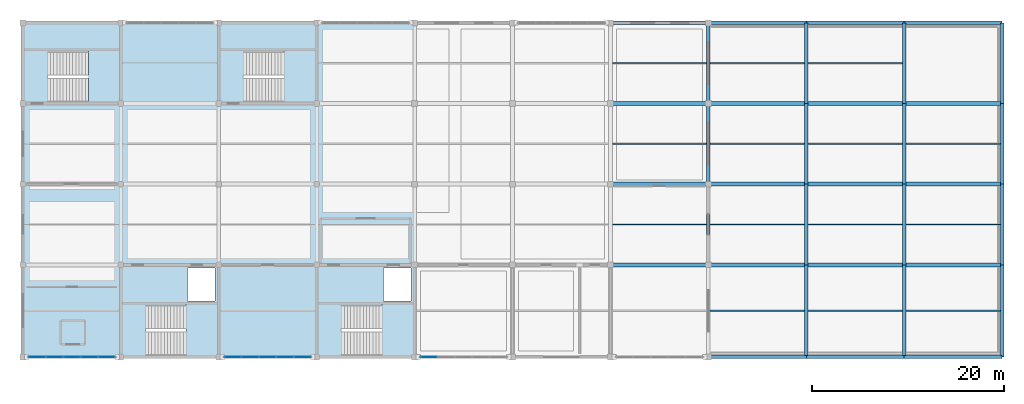
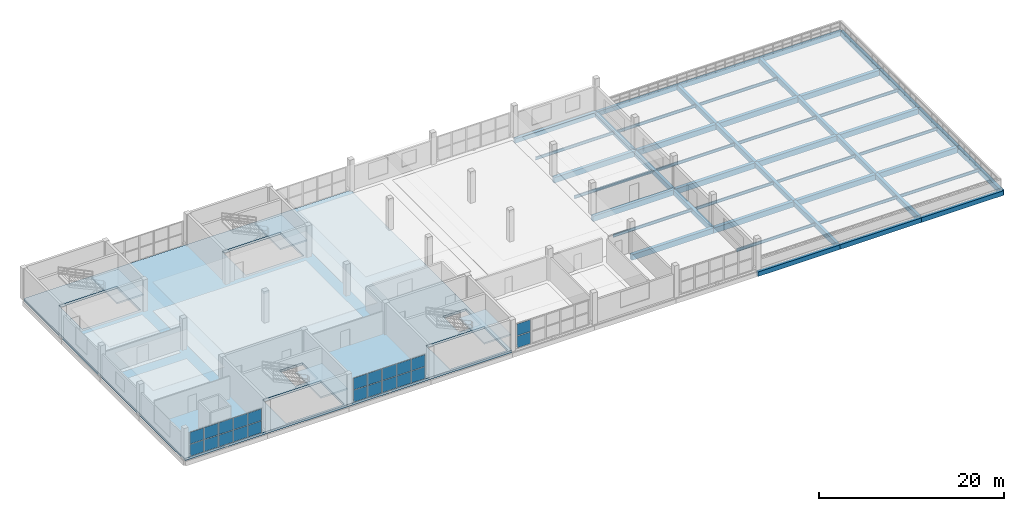
# One storey, part 17 of 24: 48 beams, 22 plates, 5 slabs, 7 elements without a shape of their own.
"""IFC4 building model written with IfcOpenShell, lengths in metres."""

from ifc_helpers import new_model, si_unit, direction, frame, origin, origin_2d, place, context, subcontext, project, spatial, polyline, rectangle, i_section, outline, extrude, material, layer, layer_set, material_profile, profile_set, type_object, element, aggregate, save


model = new_model("IFC4")

# Units and contexts
model_context = context("Model", 3, precision=1e-05, world=origin(), true_north=direction((0.0, 1.0)))
body_context = subcontext(model_context, "Body", "Model", "MODEL_VIEW")
ifc_project = project(units=[si_unit("LENGTHUNIT", "METRE"), si_unit("AREAUNIT", "SQUARE_METRE"), si_unit("VOLUMEUNIT", "CUBIC_METRE"), si_unit("PLANEANGLEUNIT", "RADIAN"), si_unit("MASSUNIT", "GRAM", prefix="KILO")], contexts=[model_context])

# Site, building, storey
site_placement = place(None, origin())
site = spatial("IfcSite", under=ifc_project, at=site_placement, CompositionType="ELEMENT")
building_placement = place(site_placement, origin())
building = spatial("IfcBuilding", under=site, at=building_placement, Name="Brelvane Convention Centre", CompositionType="ELEMENT")
storey_placement = place(building_placement, frame((0.0, 0.0, 19.199951171875)))
storey = spatial("IfcBuildingStorey", under=building, at=storey_placement, Name="L04", CompositionType="ELEMENT", Elevation=19.199951171875)

# Beams
ifc_material_1 = material(Name="Concrete M40", Category="concrete")
ifc_material_profile_1 = material_profile(ifc_material_1, rectangle(XDim=0.419921875, YDim=0.719970703125, at=origin_2d()), Name="RC 420x720")
ifc_profile_set_1 = profile_set([ifc_material_profile_1], Name="Concrete M40")
beam_type_1 = type_object("IfcBeamType", Name="RC Beam B-RC13 (RC 420x720)", PredefinedType="BEAM", material=ifc_profile_set_1)
for number, where, z_axis, x_axis, name in (
    (1, (61.199951171875, 118.800048828125, -0.64990234375), (1.0, 0.0, 0.0), (0.0, 1.0, 0.0), "L04 Beam 7-8/M"),
    (2, (61.199951171875, 127.199951171875, -0.64990234375), (1.0, 0.0, 0.0), (0.0, 1.0, 0.0), "L04 Beam 7-8/N"),
    (3, (61.199951171875, 135.60009765625, -0.64990234375), (1.0, 0.0, 0.0), (0.0, 1.0, 0.0), "L04 Beam 7-8/P"),
):
    element("IfcBeam", number, at=place(storey_placement, frame(where, z_axis=z_axis, x_axis=x_axis)), inside=storey, type_object=beam_type_1, Name=name, PredefinedType="BEAM", context=body_context, shape_type="SweptSolid", body=[
        extrude(rectangle(XDim=0.419921875, YDim=0.719970703125, at=origin_2d()), origin(), (0.0, 0.0, 1.0), 10.199951171875),
    ])
for number, where, z_axis, x_axis, name in (
    (4, (71.39990234375, 118.800048828125, -0.669921875), (1.0, 0.0, 0.0), (0.0, 1.0, 0.0), "L04 Beam 8-9/M"),
    (5, (71.39990234375, 127.199951171875, -0.669921875), (1.0, 0.0, 0.0), (0.0, 1.0, 0.0), "L04 Beam 8-9/N"),
    (6, (71.39990234375, 135.60009765625, -0.669921875), (1.0, 0.0, 0.0), (0.0, 1.0, 0.0), "L04 Beam 8-9/P"),
):
    element("IfcBeam", number, at=place(storey_placement, frame(where, z_axis=z_axis, x_axis=x_axis)), inside=storey, type_object=beam_type_1, Name=name, PredefinedType="BEAM", context=body_context, shape_type="SweptSolid", body=[
        extrude(rectangle(XDim=0.419921875, YDim=0.719970703125, at=origin_2d()), origin(), (0.0, 0.0, 1.0), 10.2001953125),
    ])
for number, where, z_axis, x_axis, name in (
    (7, (81.60009765625, 118.800048828125, -0.669921875), (1.0, 0.0, 0.0), (0.0, 1.0, 0.0), "L04 Beam 9-10/M"),
    (8, (81.60009765625, 127.199951171875, -0.669921875), (1.0, 0.0, 0.0), (0.0, 1.0, 0.0), "L04 Beam 9-10/N"),
    (9, (81.60009765625, 135.60009765625, -0.669921875), (1.0, 0.0, 0.0), (0.0, 1.0, 0.0), "L04 Beam 9-10/P"),
    (10, (91.800048828125, 118.800048828125, -0.669921875), (1.0, 0.0, 0.0), (0.0, 1.0, 0.0), "L04 Beam 10-11/M"),
    (11, (91.800048828125, 127.199951171875, -0.669921875), (1.0, 0.0, 0.0), (0.0, 1.0, 0.0), "L04 Beam 10-11/N"),
    (12, (91.800048828125, 135.60009765625, -0.669921875), (1.0, 0.0, 0.0), (0.0, 1.0, 0.0), "L04 Beam 10-11/P"),
):
    element("IfcBeam", number, at=place(storey_placement, frame(where, z_axis=z_axis, x_axis=x_axis)), inside=storey, type_object=beam_type_1, Name=name, PredefinedType="BEAM", context=body_context, shape_type="SweptSolid", body=[
        extrude(rectangle(XDim=0.419921875, YDim=0.719970703125, at=origin_2d()), origin(), (0.0, 0.0, 1.0), 10.199951171875),
    ])
ifc_material_2 = material(Name="Concrete M40", Category="concrete")
ifc_material_profile_2 = material_profile(ifc_material_2, rectangle(XDim=0.3798828125, YDim=0.679931640625, at=origin_2d()), Name="RC 380x680")
ifc_profile_set_2 = profile_set([ifc_material_profile_2], Name="Concrete M40")
beam_type_2 = type_object("IfcBeamType", Name="RC Beam B-RC14 (RC 380x680)", PredefinedType="BEAM", material=ifc_profile_set_2)
beam_1_placement = place(storey_placement, frame((71.39990234375, 118.800048828125, -0.64990234375), z_axis=(0.0, 1.0, 0.0), x_axis=(-1.0, 0.0, 0.0)))
element("IfcBeam", 13, at=beam_1_placement, inside=storey, type_object=beam_type_2, Name="L04 Girder 8/M-N", PredefinedType="BEAM", context=body_context, shape_type="SweptSolid", body=[
    extrude(rectangle(XDim=0.3798828125, YDim=0.679931640625, at=origin_2d()), origin(), (0.0, 0.0, 1.0), 8.39990234375),
])
beam_2_placement = place(storey_placement, frame((71.39990234375, 127.199951171875, -0.64990234375), z_axis=(0.0, 1.0, 0.0), x_axis=(-1.0, 0.0, 0.0)))
element("IfcBeam", 14, at=beam_2_placement, inside=storey, type_object=beam_type_2, Name="L04 Girder 8/N-P", PredefinedType="BEAM", context=body_context, shape_type="SweptSolid", body=[
    extrude(rectangle(XDim=0.3798828125, YDim=0.679931640625, at=origin_2d()), origin(), (0.0, 0.0, 1.0), 8.400146484375),
])
beam_3_placement = place(storey_placement, frame((71.39990234375, 135.60009765625, -0.64990234375), z_axis=(0.0, 1.0, 0.0), x_axis=(-1.0, 0.0, 0.0)))
element("IfcBeam", 15, at=beam_3_placement, inside=storey, type_object=beam_type_2, Name="L04 Girder 8/P-Q", PredefinedType="BEAM", context=body_context, shape_type="SweptSolid", body=[
    extrude(rectangle(XDim=0.3798828125, YDim=0.679931640625, at=origin_2d()), origin(), (0.0, 0.0, 1.0), 8.39990234375),
])
beam_4_placement = place(storey_placement, frame((81.60009765625, 109.199951171875, -0.64990234375), z_axis=(0.0, 1.0, 0.0), x_axis=(-1.0, 0.0, 0.0)))
element("IfcBeam", 16, at=beam_4_placement, inside=storey, type_object=beam_type_2, Name="L04 Girder 9/L-M", PredefinedType="BEAM", context=body_context, shape_type="SweptSolid", body=[
    extrude(rectangle(XDim=0.3798828125, YDim=0.679931640625, at=origin_2d()), origin(), (0.0, 0.0, 1.0), 9.60009765625),
])
beam_5_placement = place(storey_placement, frame((81.60009765625, 118.800048828125, -0.64990234375), z_axis=(0.0, 1.0, 0.0), x_axis=(-1.0, 0.0, 0.0)))
element("IfcBeam", 17, at=beam_5_placement, inside=storey, type_object=beam_type_2, Name="L04 Girder 9/M-N", PredefinedType="BEAM", context=body_context, shape_type="SweptSolid", body=[
    extrude(rectangle(XDim=0.3798828125, YDim=0.679931640625, at=origin_2d()), origin(), (0.0, 0.0, 1.0), 8.39990234375),
])
beam_6_placement = place(storey_placement, frame((81.60009765625, 127.199951171875, -0.64990234375), z_axis=(0.0, 1.0, 0.0), x_axis=(-1.0, 0.0, 0.0)))
element("IfcBeam", 18, at=beam_6_placement, inside=storey, type_object=beam_type_2, Name="L04 Girder 9/N-P", PredefinedType="BEAM", context=body_context, shape_type="SweptSolid", body=[
    extrude(rectangle(XDim=0.3798828125, YDim=0.679931640625, at=origin_2d()), origin(), (0.0, 0.0, 1.0), 8.400146484375),
])
beam_7_placement = place(storey_placement, frame((81.60009765625, 135.60009765625, -0.64990234375), z_axis=(0.0, 1.0, 0.0), x_axis=(-1.0, 0.0, 0.0)))
element("IfcBeam", 19, at=beam_7_placement, inside=storey, type_object=beam_type_2, Name="L04 Girder 9/P-Q", PredefinedType="BEAM", context=body_context, shape_type="SweptSolid", body=[
    extrude(rectangle(XDim=0.3798828125, YDim=0.679931640625, at=origin_2d()), origin(), (0.0, 0.0, 1.0), 8.39990234375),
])
beam_8_placement = place(storey_placement, frame((91.800048828125, 109.199951171875, -0.64990234375), z_axis=(0.0, 1.0, 0.0), x_axis=(-1.0, 0.0, 0.0)))
element("IfcBeam", 20, at=beam_8_placement, inside=storey, type_object=beam_type_2, Name="L04 Girder 10/L-M", PredefinedType="BEAM", context=body_context, shape_type="SweptSolid", body=[
    extrude(rectangle(XDim=0.3798828125, YDim=0.679931640625, at=origin_2d()), origin(), (0.0, 0.0, 1.0), 9.60009765625),
])
beam_9_placement = place(storey_placement, frame((91.800048828125, 118.800048828125, -0.64990234375), z_axis=(0.0, 1.0, 0.0), x_axis=(-1.0, 0.0, 0.0)))
element("IfcBeam", 21, at=beam_9_placement, inside=storey, type_object=beam_type_2, Name="L04 Girder 10/M-N", PredefinedType="BEAM", context=body_context, shape_type="SweptSolid", body=[
    extrude(rectangle(XDim=0.3798828125, YDim=0.679931640625, at=origin_2d()), origin(), (0.0, 0.0, 1.0), 8.39990234375),
])
beam_10_placement = place(storey_placement, frame((91.800048828125, 127.199951171875, -0.64990234375), z_axis=(0.0, 1.0, 0.0), x_axis=(-1.0, 0.0, 0.0)))
element("IfcBeam", 22, at=beam_10_placement, inside=storey, type_object=beam_type_2, Name="L04 Girder 10/N-P", PredefinedType="BEAM", context=body_context, shape_type="SweptSolid", body=[
    extrude(rectangle(XDim=0.3798828125, YDim=0.679931640625, at=origin_2d()), origin(), (0.0, 0.0, 1.0), 8.400146484375),
])
beam_11_placement = place(storey_placement, frame((91.800048828125, 135.60009765625, -0.64990234375), z_axis=(0.0, 1.0, 0.0), x_axis=(-1.0, 0.0, 0.0)))
element("IfcBeam", 23, at=beam_11_placement, inside=storey, type_object=beam_type_2, Name="L04 Girder 10/P-Q", PredefinedType="BEAM", context=body_context, shape_type="SweptSolid", body=[
    extrude(rectangle(XDim=0.3798828125, YDim=0.679931640625, at=origin_2d()), origin(), (0.0, 0.0, 1.0), 8.39990234375),
])
beam_12_placement = place(storey_placement, frame((102.0, 109.199951171875, -0.64990234375), z_axis=(0.0, 1.0, 0.0), x_axis=(-1.0, 0.0, 0.0)))
element("IfcBeam", 24, at=beam_12_placement, inside=storey, type_object=beam_type_2, Name="L04 Girder 11/L-M", PredefinedType="BEAM", context=body_context, shape_type="SweptSolid", body=[
    extrude(rectangle(XDim=0.3798828125, YDim=0.679931640625, at=origin_2d()), origin(), (0.0, 0.0, 1.0), 9.60009765625),
])
beam_13_placement = place(storey_placement, frame((102.0, 118.800048828125, -0.64990234375), z_axis=(0.0, 1.0, 0.0), x_axis=(-1.0, 0.0, 0.0)))
element("IfcBeam", 25, at=beam_13_placement, inside=storey, type_object=beam_type_2, Name="L04 Girder 11/M-N", PredefinedType="BEAM", context=body_context, shape_type="SweptSolid", body=[
    extrude(rectangle(XDim=0.3798828125, YDim=0.679931640625, at=origin_2d()), origin(), (0.0, 0.0, 1.0), 8.39990234375),
])
beam_14_placement = place(storey_placement, frame((102.0, 127.199951171875, -0.64990234375), z_axis=(0.0, 1.0, 0.0), x_axis=(-1.0, 0.0, 0.0)))
element("IfcBeam", 26, at=beam_14_placement, inside=storey, type_object=beam_type_2, Name="L04 Girder 11/N-P", PredefinedType="BEAM", context=body_context, shape_type="SweptSolid", body=[
    extrude(rectangle(XDim=0.3798828125, YDim=0.679931640625, at=origin_2d()), origin(), (0.0, 0.0, 1.0), 8.400146484375),
])
beam_15_placement = place(storey_placement, frame((102.0, 135.60009765625, -0.64990234375), z_axis=(0.0, 1.0, 0.0), x_axis=(-1.0, 0.0, 0.0)))
element("IfcBeam", 27, at=beam_15_placement, inside=storey, type_object=beam_type_2, Name="L04 Girder 11/P-Q", PredefinedType="BEAM", context=body_context, shape_type="SweptSolid", body=[
    extrude(rectangle(XDim=0.3798828125, YDim=0.679931640625, at=origin_2d()), origin(), (0.0, 0.0, 1.0), 8.39990234375),
])
ifc_material_3 = material(Name="Concrete M40", Category="concrete")
ifc_material_profile_3 = material_profile(ifc_material_3, rectangle(XDim=0.35009765625, YDim=0.60009765625, at=origin_2d()), Name="RC 350x600")
ifc_profile_set_3 = profile_set([ifc_material_profile_3], Name="Concrete M40")
beam_type_3 = type_object("IfcBeamType", Name="RC Spandrel SP-RC2 (RC 350x600)", PredefinedType="SPANDREL", material=ifc_profile_set_3)
beam_16_placement = place(storey_placement, frame((61.199951171875, 144.0, -0.58984375), z_axis=(1.0, 0.0, 0.0), x_axis=(0.0, 1.0, 0.0)))
element("IfcBeam", 28, at=beam_16_placement, inside=storey, type_object=beam_type_3, Name="L04 Beam 7-8/Q", PredefinedType="SPANDREL", context=body_context, shape_type="SweptSolid", body=[
    extrude(rectangle(XDim=0.35009765625, YDim=0.60009765625, at=origin_2d()), origin(), (0.0, 0.0, 1.0), 10.199951171875),
])
for number, where, z_axis, x_axis, name in (
    (29, (71.39990234375, 109.199951171875, -0.60986328125), (1.0, 0.0, 0.0), (0.0, 1.0, 0.0), "L04 Beam 8-9/L"),
    (30, (71.39990234375, 144.0, -0.60986328125), (1.0, 0.0, 0.0), (0.0, 1.0, 0.0), "L04 Beam 8-9/Q"),
):
    element("IfcBeam", number, at=place(storey_placement, frame(where, z_axis=z_axis, x_axis=x_axis)), inside=storey, type_object=beam_type_3, Name=name, PredefinedType="SPANDREL", context=body_context, shape_type="SweptSolid", body=[
        extrude(rectangle(XDim=0.35009765625, YDim=0.60009765625, at=origin_2d()), origin(), (0.0, 0.0, 1.0), 10.2001953125),
    ])
for number, where, z_axis, x_axis, name in (
    (31, (81.60009765625, 109.199951171875, -0.60986328125), (1.0, 0.0, 0.0), (0.0, 1.0, 0.0), "L04 Beam 9-10/L"),
    (32, (81.60009765625, 144.0, -0.60986328125), (1.0, 0.0, 0.0), (0.0, 1.0, 0.0), "L04 Beam 9-10/Q"),
    (33, (91.800048828125, 109.199951171875, -0.60986328125), (1.0, 0.0, 0.0), (0.0, 1.0, 0.0), "L04 Beam 10-11/L"),
    (34, (91.800048828125, 144.0, -0.60986328125), (1.0, 0.0, 0.0), (0.0, 1.0, 0.0), "L04 Beam 10-11/Q"),
):
    element("IfcBeam", number, at=place(storey_placement, frame(where, z_axis=z_axis, x_axis=x_axis)), inside=storey, type_object=beam_type_3, Name=name, PredefinedType="SPANDREL", context=body_context, shape_type="SweptSolid", body=[
        extrude(rectangle(XDim=0.35009765625, YDim=0.60009765625, at=origin_2d()), origin(), (0.0, 0.0, 1.0), 10.199951171875),
    ])
ifc_material_4 = material(Name="Steel E350 (350 MPa)", Category="steel")
ifc_material_profile_4 = material_profile(ifc_material_4, i_section(OverallWidth=0.139892578125, OverallDepth=0.39990234375, WebThickness=0.0087890625, FlangeThickness=0.01611328125, FilletRadius=0.013916015625, at=origin_2d()), Name="ISMB 400")
ifc_profile_set_4 = profile_set([ifc_material_profile_4], Name="Steel E350 (350 MPa)")
beam_type_4 = type_object("IfcBeamType", Name="Steel Joist J-ST1 (ISMB 400)", PredefinedType="JOIST", material=ifc_profile_set_4)
for number, where, z_axis, x_axis, name in (
    (35, (61.389892578125, 123.0, -0.489990234375), (1.0, 0.0, 0.0), (0.0, 1.0, 0.0), "L04 Secondary Joist 7-8/MN"),
    (36, (61.389892578125, 131.39990234375, -0.489990234375), (1.0, 0.0, 0.0), (0.0, 1.0, 0.0), "L04 Secondary Joist 7-8/NP"),
    (37, (61.389892578125, 139.800048828125, -0.489990234375), (1.0, 0.0, 0.0), (0.0, 1.0, 0.0), "L04 Secondary Joist 7-8/PQ"),
):
    element("IfcBeam", number, at=place(storey_placement, frame(where, z_axis=z_axis, x_axis=x_axis)), inside=storey, type_object=beam_type_4, Name=name, PredefinedType="JOIST", context=body_context, shape_type="SweptSolid", body=[
        extrude(i_section(OverallWidth=0.139892578125, OverallDepth=0.39990234375, WebThickness=0.0087890625, FlangeThickness=0.01611328125, FilletRadius=0.013916015625, at=origin_2d()), origin(), (0.0, 0.0, 1.0), 9.820068359375),
    ])
for number, where, z_axis, x_axis, name in (
    (38, (71.590087890625, 114.0, -0.510009765625), (1.0, 0.0, 0.0), (0.0, 1.0, 0.0), "L04 Secondary Joist 8-9/LM"),
    (39, (71.590087890625, 123.0, -0.510009765625), (1.0, 0.0, 0.0), (0.0, 1.0, 0.0), "L04 Secondary Joist 8-9/MN"),
    (40, (71.590087890625, 131.39990234375, -0.510009765625), (1.0, 0.0, 0.0), (0.0, 1.0, 0.0), "L04 Secondary Joist 8-9/NP"),
    (41, (71.590087890625, 139.800048828125, -0.510009765625), (1.0, 0.0, 0.0), (0.0, 1.0, 0.0), "L04 Secondary Joist 8-9/PQ"),
):
    element("IfcBeam", number, at=place(storey_placement, frame(where, z_axis=z_axis, x_axis=x_axis)), inside=storey, type_object=beam_type_4, Name=name, PredefinedType="JOIST", context=body_context, shape_type="SweptSolid", body=[
        extrude(i_section(OverallWidth=0.139892578125, OverallDepth=0.39990234375, WebThickness=0.0087890625, FlangeThickness=0.01611328125, FilletRadius=0.013916015625, at=origin_2d()), origin(), (0.0, 0.0, 1.0), 9.81982421875),
    ])
for number, where, z_axis, x_axis, name in (
    (42, (81.7900390625, 114.0, -0.510009765625), (1.0, 0.0, 0.0), (0.0, 1.0, 0.0), "L04 Secondary Joist 9-10/LM"),
    (43, (81.7900390625, 123.0, -0.510009765625), (1.0, 0.0, 0.0), (0.0, 1.0, 0.0), "L04 Secondary Joist 9-10/MN"),
    (44, (81.7900390625, 131.39990234375, -0.510009765625), (1.0, 0.0, 0.0), (0.0, 1.0, 0.0), "L04 Secondary Joist 9-10/NP"),
    (45, (81.7900390625, 139.800048828125, -0.510009765625), (1.0, 0.0, 0.0), (0.0, 1.0, 0.0), "L04 Secondary Joist 9-10/PQ"),
    (46, (91.989990234375, 114.0, -0.510009765625), (1.0, 0.0, 0.0), (0.0, 1.0, 0.0), "L04 Secondary Joist 10-11/LM"),
    (47, (91.989990234375, 123.0, -0.510009765625), (1.0, 0.0, 0.0), (0.0, 1.0, 0.0), "L04 Secondary Joist 10-11/MN"),
    (48, (91.989990234375, 131.39990234375, -0.510009765625), (1.0, 0.0, 0.0), (0.0, 1.0, 0.0), "L04 Secondary Joist 10-11/NP"),
):
    element("IfcBeam", number, at=place(storey_placement, frame(where, z_axis=z_axis, x_axis=x_axis)), inside=storey, type_object=beam_type_4, Name=name, PredefinedType="JOIST", context=body_context, shape_type="SweptSolid", body=[
        extrude(i_section(OverallWidth=0.139892578125, OverallDepth=0.39990234375, WebThickness=0.0087890625, FlangeThickness=0.01611328125, FilletRadius=0.013916015625, at=origin_2d()), origin(), (0.0, 0.0, 1.0), 9.820068359375),
    ])

# Curtain wall, plates
ifc_material_5 = material(Name="Anodised Aluminium Alloy 6063-T6", Category="aluminium")
curtain_wall_type = type_object("IfcCurtainWallType", Name="Curtain Wall CW-COURT", PredefinedType="USERDEFINED", material=ifc_material_5)
curtain_wall_1_placement = place(storey_placement, origin())
curtain_wall_1 = element("IfcCurtainWall", 49, at=curtain_wall_1_placement, inside=storey, type_object=curtain_wall_type, Name="Curtain Wall CW-COURT L04-V4S-01", ObjectType="UNITISED", PredefinedType="USERDEFINED")
ifc_material_6 = material(Name="Double Glazed Low-E Laminated Unit")
ifc_layer_1 = layer(ifc_material_6, 0.031982421875)
ifc_layer_set_1 = layer_set([ifc_layer_1], Name="Double Glazed Low-E Laminated Unit")
plate_type = type_object("IfcPlateType", Name="Curtain Panel CW-PG1", PredefinedType="CURTAIN_PANEL", material=ifc_layer_set_1)
plate_1_placement = place(storey_placement, frame((1.478759765625, 109.199951171875, 0.070068359375), z_axis=(0.0, 0.0, 1.0), x_axis=(1.0, 0.0, 0.0)))
plate_1 = element("IfcPlate", 50, at=plate_1_placement, type_object=plate_type, Name="CW-COURT panel 1.1", PredefinedType="CURTAIN_PANEL", context=body_context, shape_type="SweptSolid", body=[
    extrude(rectangle(XDim=1.70751953125, YDim=0.031982421875, at=origin_2d()), origin(), (0.0, 0.0, 1.0), 1.544921875),
])
plate_2_placement = place(storey_placement, frame((1.478759765625, 109.199951171875, 1.68505859375), z_axis=(0.0, 0.0, 1.0), x_axis=(1.0, 0.0, 0.0)))
plate_2 = element("IfcPlate", 51, at=plate_2_placement, type_object=plate_type, Name="CW-COURT panel 1.2", PredefinedType="CURTAIN_PANEL", context=body_context, shape_type="SweptSolid", body=[
    extrude(rectangle(XDim=1.70751953125, YDim=0.031982421875, at=origin_2d()), origin(), (0.0, 0.0, 1.0), 1.544921875),
])
plate_3_placement = place(storey_placement, frame((3.280029296875, 109.199951171875, 0.070068359375), z_axis=(0.0, 0.0, 1.0), x_axis=(1.0, 0.0, 0.0)))
plate_3 = element("IfcPlate", 52, at=plate_3_placement, type_object=plate_type, Name="CW-COURT panel 2.1", PredefinedType="CURTAIN_PANEL", context=body_context, shape_type="SweptSolid", body=[
    extrude(rectangle(XDim=1.7451171875, YDim=0.031982421875, at=origin_2d()), origin(), (0.0, 0.0, 1.0), 1.544921875),
])
plate_4_placement = place(storey_placement, frame((3.280029296875, 109.199951171875, 1.68505859375), z_axis=(0.0, 0.0, 1.0), x_axis=(1.0, 0.0, 0.0)))
plate_4 = element("IfcPlate", 53, at=plate_4_placement, type_object=plate_type, Name="CW-COURT panel 2.2", PredefinedType="CURTAIN_PANEL", context=body_context, shape_type="SweptSolid", body=[
    extrude(rectangle(XDim=1.7451171875, YDim=0.031982421875, at=origin_2d()), origin(), (0.0, 0.0, 1.0), 1.544921875),
])
plate_5_placement = place(storey_placement, frame((5.10009765625, 109.199951171875, 0.070068359375), z_axis=(0.0, 0.0, 1.0), x_axis=(1.0, 0.0, 0.0)))
plate_5 = element("IfcPlate", 54, at=plate_5_placement, type_object=plate_type, Name="CW-COURT panel 3.1", PredefinedType="CURTAIN_PANEL", context=body_context, shape_type="SweptSolid", body=[
    extrude(rectangle(XDim=1.7451171875, YDim=0.031982421875, at=origin_2d()), origin(), (0.0, 0.0, 1.0), 1.544921875),
])
plate_6_placement = place(storey_placement, frame((5.10009765625, 109.199951171875, 1.68505859375), z_axis=(0.0, 0.0, 1.0), x_axis=(1.0, 0.0, 0.0)))
plate_6 = element("IfcPlate", 55, at=plate_6_placement, type_object=plate_type, Name="CW-COURT panel 3.2", PredefinedType="CURTAIN_PANEL", context=body_context, shape_type="SweptSolid", body=[
    extrude(rectangle(XDim=1.7451171875, YDim=0.031982421875, at=origin_2d()), origin(), (0.0, 0.0, 1.0), 1.544921875),
])
plate_7_placement = place(storey_placement, frame((6.919921875, 109.199951171875, 0.070068359375), z_axis=(0.0, 0.0, 1.0), x_axis=(1.0, 0.0, 0.0)))
plate_7 = element("IfcPlate", 56, at=plate_7_placement, type_object=plate_type, Name="CW-COURT panel 4.1", PredefinedType="CURTAIN_PANEL", context=body_context, shape_type="SweptSolid", body=[
    extrude(rectangle(XDim=1.7451171875, YDim=0.031982421875, at=origin_2d()), origin(), (0.0, 0.0, 1.0), 1.544921875),
])
plate_8_placement = place(storey_placement, frame((6.919921875, 109.199951171875, 1.68505859375), z_axis=(0.0, 0.0, 1.0), x_axis=(1.0, 0.0, 0.0)))
plate_8 = element("IfcPlate", 57, at=plate_8_placement, type_object=plate_type, Name="CW-COURT panel 4.2", PredefinedType="CURTAIN_PANEL", context=body_context, shape_type="SweptSolid", body=[
    extrude(rectangle(XDim=1.7451171875, YDim=0.031982421875, at=origin_2d()), origin(), (0.0, 0.0, 1.0), 1.544921875),
])
plate_9_placement = place(storey_placement, frame((8.72119140625, 109.199951171875, 0.070068359375), z_axis=(0.0, 0.0, 1.0), x_axis=(1.0, 0.0, 0.0)))
plate_9 = element("IfcPlate", 58, at=plate_9_placement, type_object=plate_type, Name="CW-COURT panel 5.1", PredefinedType="CURTAIN_PANEL", context=body_context, shape_type="SweptSolid", body=[
    extrude(rectangle(XDim=1.70751953125, YDim=0.031982421875, at=origin_2d()), origin(), (0.0, 0.0, 1.0), 1.544921875),
])
plate_10_placement = place(storey_placement, frame((8.72119140625, 109.199951171875, 1.68505859375), z_axis=(0.0, 0.0, 1.0), x_axis=(1.0, 0.0, 0.0)))
plate_10 = element("IfcPlate", 59, at=plate_10_placement, type_object=plate_type, Name="CW-COURT panel 5.2", PredefinedType="CURTAIN_PANEL", context=body_context, shape_type="SweptSolid", body=[
    extrude(rectangle(XDim=1.70751953125, YDim=0.031982421875, at=origin_2d()), origin(), (0.0, 0.0, 1.0), 1.544921875),
])
aggregate(curtain_wall_1, [plate_1, plate_2, plate_3, plate_4, plate_5, plate_6, plate_7, plate_8, plate_9, plate_10])

curtain_wall_2_placement = place(storey_placement, origin())
curtain_wall_2 = element("IfcCurtainWall", 60, at=curtain_wall_2_placement, inside=storey, type_object=curtain_wall_type, Name="Curtain Wall CW-COURT L04-V4S-03", ObjectType="UNITISED", PredefinedType="USERDEFINED")
plate_11_placement = place(storey_placement, frame((21.878662109375, 109.199951171875, 0.070068359375), z_axis=(0.0, 0.0, 1.0), x_axis=(1.0, 0.0, 0.0)))
plate_11 = element("IfcPlate", 61, at=plate_11_placement, type_object=plate_type, Name="CW-COURT panel 1.1", PredefinedType="CURTAIN_PANEL", context=body_context, shape_type="SweptSolid", body=[
    extrude(rectangle(XDim=1.70751953125, YDim=0.031982421875, at=origin_2d()), origin(), (0.0, 0.0, 1.0), 1.544921875),
])
plate_12_placement = place(storey_placement, frame((21.878662109375, 109.199951171875, 1.68505859375), z_axis=(0.0, 0.0, 1.0), x_axis=(1.0, 0.0, 0.0)))
plate_12 = element("IfcPlate", 62, at=plate_12_placement, type_object=plate_type, Name="CW-COURT panel 1.2", PredefinedType="CURTAIN_PANEL", context=body_context, shape_type="SweptSolid", body=[
    extrude(rectangle(XDim=1.70751953125, YDim=0.031982421875, at=origin_2d()), origin(), (0.0, 0.0, 1.0), 1.544921875),
])
plate_13_placement = place(storey_placement, frame((23.679931640625, 109.199951171875, 0.070068359375), z_axis=(0.0, 0.0, 1.0), x_axis=(1.0, 0.0, 0.0)))
plate_13 = element("IfcPlate", 63, at=plate_13_placement, type_object=plate_type, Name="CW-COURT panel 2.1", PredefinedType="CURTAIN_PANEL", context=body_context, shape_type="SweptSolid", body=[
    extrude(rectangle(XDim=1.7451171875, YDim=0.031982421875, at=origin_2d()), origin(), (0.0, 0.0, 1.0), 1.544921875),
])
plate_14_placement = place(storey_placement, frame((23.679931640625, 109.199951171875, 1.68505859375), z_axis=(0.0, 0.0, 1.0), x_axis=(1.0, 0.0, 0.0)))
plate_14 = element("IfcPlate", 64, at=plate_14_placement, type_object=plate_type, Name="CW-COURT panel 2.2", PredefinedType="CURTAIN_PANEL", context=body_context, shape_type="SweptSolid", body=[
    extrude(rectangle(XDim=1.7451171875, YDim=0.031982421875, at=origin_2d()), origin(), (0.0, 0.0, 1.0), 1.544921875),
])
plate_15_placement = place(storey_placement, frame((25.5, 109.199951171875, 0.070068359375), z_axis=(0.0, 0.0, 1.0), x_axis=(1.0, 0.0, 0.0)))
plate_15 = element("IfcPlate", 65, at=plate_15_placement, type_object=plate_type, Name="CW-COURT panel 3.1", PredefinedType="CURTAIN_PANEL", context=body_context, shape_type="SweptSolid", body=[
    extrude(rectangle(XDim=1.7451171875, YDim=0.031982421875, at=origin_2d()), origin(), (0.0, 0.0, 1.0), 1.544921875),
])
plate_16_placement = place(storey_placement, frame((25.5, 109.199951171875, 1.68505859375), z_axis=(0.0, 0.0, 1.0), x_axis=(1.0, 0.0, 0.0)))
plate_16 = element("IfcPlate", 66, at=plate_16_placement, type_object=plate_type, Name="CW-COURT panel 3.2", PredefinedType="CURTAIN_PANEL", context=body_context, shape_type="SweptSolid", body=[
    extrude(rectangle(XDim=1.7451171875, YDim=0.031982421875, at=origin_2d()), origin(), (0.0, 0.0, 1.0), 1.544921875),
])
plate_17_placement = place(storey_placement, frame((27.320068359375, 109.199951171875, 0.070068359375), z_axis=(0.0, 0.0, 1.0), x_axis=(1.0, 0.0, 0.0)))
plate_17 = element("IfcPlate", 67, at=plate_17_placement, type_object=plate_type, Name="CW-COURT panel 4.1", PredefinedType="CURTAIN_PANEL", context=body_context, shape_type="SweptSolid", body=[
    extrude(rectangle(XDim=1.7451171875, YDim=0.031982421875, at=origin_2d()), origin(), (0.0, 0.0, 1.0), 1.544921875),
])
plate_18_placement = place(storey_placement, frame((27.320068359375, 109.199951171875, 1.68505859375), z_axis=(0.0, 0.0, 1.0), x_axis=(1.0, 0.0, 0.0)))
plate_18 = element("IfcPlate", 68, at=plate_18_placement, type_object=plate_type, Name="CW-COURT panel 4.2", PredefinedType="CURTAIN_PANEL", context=body_context, shape_type="SweptSolid", body=[
    extrude(rectangle(XDim=1.7451171875, YDim=0.031982421875, at=origin_2d()), origin(), (0.0, 0.0, 1.0), 1.544921875),
])
plate_19_placement = place(storey_placement, frame((29.121337890625, 109.199951171875, 0.070068359375), z_axis=(0.0, 0.0, 1.0), x_axis=(1.0, 0.0, 0.0)))
plate_19 = element("IfcPlate", 69, at=plate_19_placement, type_object=plate_type, Name="CW-COURT panel 5.1", PredefinedType="CURTAIN_PANEL", context=body_context, shape_type="SweptSolid", body=[
    extrude(rectangle(XDim=1.70751953125, YDim=0.031982421875, at=origin_2d()), origin(), (0.0, 0.0, 1.0), 1.544921875),
])
plate_20_placement = place(storey_placement, frame((29.121337890625, 109.199951171875, 1.68505859375), z_axis=(0.0, 0.0, 1.0), x_axis=(1.0, 0.0, 0.0)))
plate_20 = element("IfcPlate", 70, at=plate_20_placement, type_object=plate_type, Name="CW-COURT panel 5.2", PredefinedType="CURTAIN_PANEL", context=body_context, shape_type="SweptSolid", body=[
    extrude(rectangle(XDim=1.70751953125, YDim=0.031982421875, at=origin_2d()), origin(), (0.0, 0.0, 1.0), 1.544921875),
])
aggregate(curtain_wall_2, [plate_11, plate_12, plate_13, plate_14, plate_15, plate_16, plate_17, plate_18, plate_19, plate_20])

curtain_wall_3_placement = place(storey_placement, origin())
curtain_wall_3 = element("IfcCurtainWall", 71, at=curtain_wall_3_placement, inside=storey, type_object=curtain_wall_type, Name="Curtain Wall CW-COURT L04-V4S-05", ObjectType="UNITISED", PredefinedType="USERDEFINED")
plate_21_placement = place(storey_placement, frame((42.27880859375, 109.199951171875, 0.070068359375), z_axis=(0.0, 0.0, 1.0), x_axis=(1.0, 0.0, 0.0)))
plate_21 = element("IfcPlate", 72, at=plate_21_placement, type_object=plate_type, Name="CW-COURT panel 1.1", PredefinedType="CURTAIN_PANEL", context=body_context, shape_type="SweptSolid", body=[
    extrude(rectangle(XDim=1.70751953125, YDim=0.031982421875, at=origin_2d()), origin(), (0.0, 0.0, 1.0), 1.544921875),
])
plate_22_placement = place(storey_placement, frame((42.27880859375, 109.199951171875, 1.68505859375), z_axis=(0.0, 0.0, 1.0), x_axis=(1.0, 0.0, 0.0)))
plate_22 = element("IfcPlate", 73, at=plate_22_placement, type_object=plate_type, Name="CW-COURT panel 1.2", PredefinedType="CURTAIN_PANEL", context=body_context, shape_type="SweptSolid", body=[
    extrude(rectangle(XDim=1.70751953125, YDim=0.031982421875, at=origin_2d()), origin(), (0.0, 0.0, 1.0), 1.544921875),
])
aggregate(curtain_wall_3, [plate_21, plate_22])

# Stair, slab
ifc_material_7 = material(Name="Concrete M40", Category="concrete")
stair_type = type_object("IfcStairType", Name="Exit Stair ST-CORE", PredefinedType="HALF_TURN_STAIR", material=ifc_material_7)
stair_1_placement = place(storey_placement, origin())
stair_1 = element("IfcStair", 74, at=stair_1_placement, inside=storey, type_object=stair_type, Name="Exit Stair ST-06 (L04 to L05)", PredefinedType="HALF_TURN_STAIR")
ifc_material_8 = material(Name="Concrete M40", Category="concrete")
ifc_layer_2 = layer(ifc_material_8, 0.199951171875)
ifc_layer_set_2 = layer_set([ifc_layer_2], Name="Concrete M40")
slab_type_1 = type_object("IfcSlabType", Name="Stair Landing SL-LND-200", PredefinedType="LANDING", material=ifc_layer_set_2)
slab_1_placement = place(storey_placement, frame((0.0, 0.0, 1.900146484375)))
slab_1 = element("IfcSlab", 75, at=slab_1_placement, type_object=slab_type_1, Name="Stair ST-06 L04 Half Landing", PredefinedType="LANDING", context=body_context, shape_type="SweptSolid", body=[
    extrude(outline(polyline([(17.010009765625, 109.280029296875), (20.320068359375, 109.280029296875), (20.320068359375, 114.719970703125), (17.010009765625, 114.719970703125), (17.010009765625, 109.280029296875)])), origin(), (0.0, 0.0, 1.0), 0.199951171875),
])
aggregate(stair_1, [slab_1])

stair_2_placement = place(storey_placement, origin())
stair_2 = element("IfcStair", 76, at=stair_2_placement, inside=storey, type_object=stair_type, Name="Exit Stair ST-07 (L04 to L05)", PredefinedType="HALF_TURN_STAIR")
slab_2_placement = place(storey_placement, frame((0.0, 0.0, 1.900146484375)))
slab_2 = element("IfcSlab", 77, at=slab_2_placement, type_object=slab_type_1, Name="Stair ST-07 L04 Half Landing", PredefinedType="LANDING", context=body_context, shape_type="SweptSolid", body=[
    extrude(outline(polyline([(37.409912109375, 109.280029296875), (40.719970703125, 109.280029296875), (40.719970703125, 114.719970703125), (37.409912109375, 114.719970703125), (37.409912109375, 109.280029296875)])), origin(), (0.0, 0.0, 1.0), 0.199951171875),
])
aggregate(stair_2, [slab_2])

stair_3_placement = place(storey_placement, origin())
stair_3 = element("IfcStair", 78, at=stair_3_placement, inside=storey, type_object=stair_type, Name="Exit Stair ST-13 (L04 to L05)", PredefinedType="HALF_TURN_STAIR")
slab_3_placement = place(storey_placement, frame((0.0, 0.0, 1.900146484375)))
slab_3 = element("IfcSlab", 79, at=slab_3_placement, type_object=slab_type_1, Name="Stair ST-13 L04 Half Landing", PredefinedType="LANDING", context=body_context, shape_type="SweptSolid", body=[
    extrude(outline(polyline([(27.2099609375, 135.679931640625), (30.52001953125, 135.679931640625), (30.52001953125, 141.1201171875), (27.2099609375, 141.1201171875), (27.2099609375, 135.679931640625)])), origin(), (0.0, 0.0, 1.0), 0.199951171875),
])
aggregate(stair_3, [slab_3])

stair_4_placement = place(storey_placement, origin())
stair_4 = element("IfcStair", 80, at=stair_4_placement, inside=storey, type_object=stair_type, Name="Exit Stair ST-17 (L04 to L05)", PredefinedType="HALF_TURN_STAIR")
slab_4_placement = place(storey_placement, frame((0.0, 0.0, 1.900146484375)))
slab_4 = element("IfcSlab", 81, at=slab_4_placement, type_object=slab_type_1, Name="Stair ST-17 L04 Half Landing", PredefinedType="LANDING", context=body_context, shape_type="SweptSolid", body=[
    extrude(outline(polyline([(6.81005859375, 135.679931640625), (10.1201171875, 135.679931640625), (10.1201171875, 141.1201171875), (6.81005859375, 141.1201171875), (6.81005859375, 135.679931640625)])), origin(), (0.0, 0.0, 1.0), 0.199951171875),
])
aggregate(stair_4, [slab_4])

# Slab
ifc_material_9 = material(Name="Concrete M40", Category="concrete")
ifc_layer_3 = layer(ifc_material_9, 0.304931640625)
ifc_layer_set_3 = layer_set([ifc_layer_3], Name="Concrete M40")
slab_type_2 = type_object("IfcSlabType", Name="Structural Slab SL-FLR-305", PredefinedType="FLOOR", material=ifc_layer_set_3)
slab_5_placement = place(storey_placement, frame((0.0, 0.0, -0.304931640625)))
element("IfcSlab", 82, at=slab_5_placement, inside=storey, type_object=slab_type_2, Name="L04 FloorA Slab MEET-W", PredefinedType="FLOOR", context=body_context, shape_type="SweptSolid", body=[
    extrude(outline(polyline([(0.0, 109.199951171875), (40.800048828125, 109.199951171875), (40.800048828125, 144.0), (0.0, 144.0), (0.0, 109.199951171875)]), holes=[polyline([(12.800048828125, 109.449951171875), (20.050048828125, 109.449951171875), (20.050048828125, 114.550048828125), (12.800048828125, 114.550048828125), (12.800048828125, 109.449951171875)]), polyline([(17.14990234375, 115.050048828125), (20.0, 115.050048828125), (20.0, 118.449951171875), (17.14990234375, 118.449951171875), (17.14990234375, 115.050048828125)]), polyline([(33.199951171875, 109.449951171875), (40.449951171875, 109.449951171875), (40.449951171875, 114.550048828125), (33.199951171875, 114.550048828125), (33.199951171875, 109.449951171875)]), polyline([(37.550048828125, 115.050048828125), (40.39990234375, 115.050048828125), (40.39990234375, 118.449951171875), (37.550048828125, 118.449951171875), (37.550048828125, 115.050048828125)]), polyline([(23.0, 135.85009765625), (30.25, 135.85009765625), (30.25, 140.949951171875), (23.0, 140.949951171875), (23.0, 135.85009765625)]), polyline([(2.60009765625, 135.85009765625), (9.85009765625, 135.85009765625), (9.85009765625, 140.949951171875), (2.60009765625, 140.949951171875), (2.60009765625, 135.85009765625)])]), origin(), (0.0, 0.0, 1.0), 0.304931640625),
])

save(model, "model.ifc")
